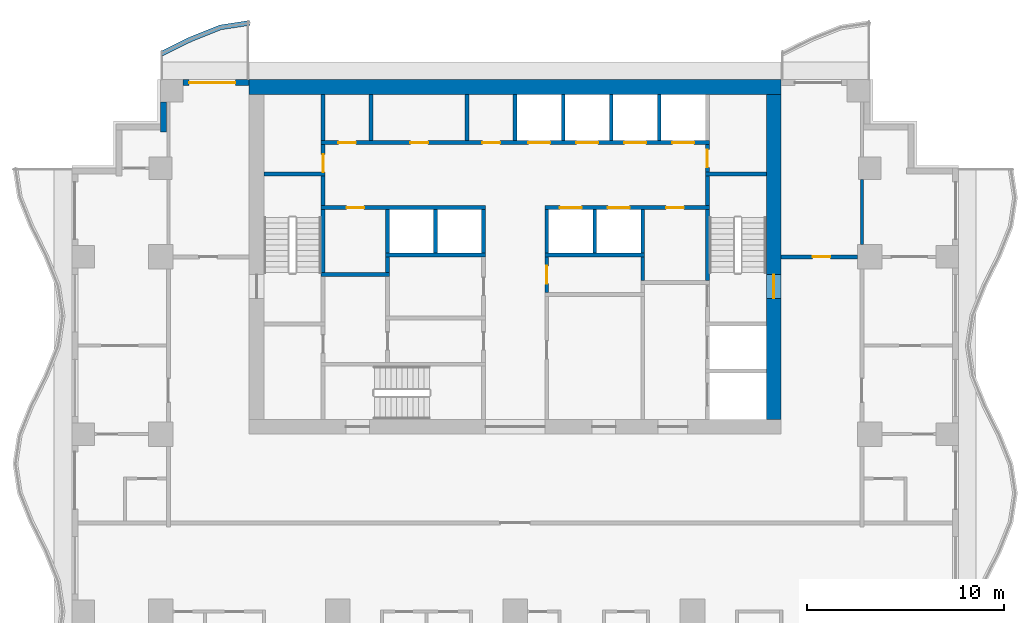
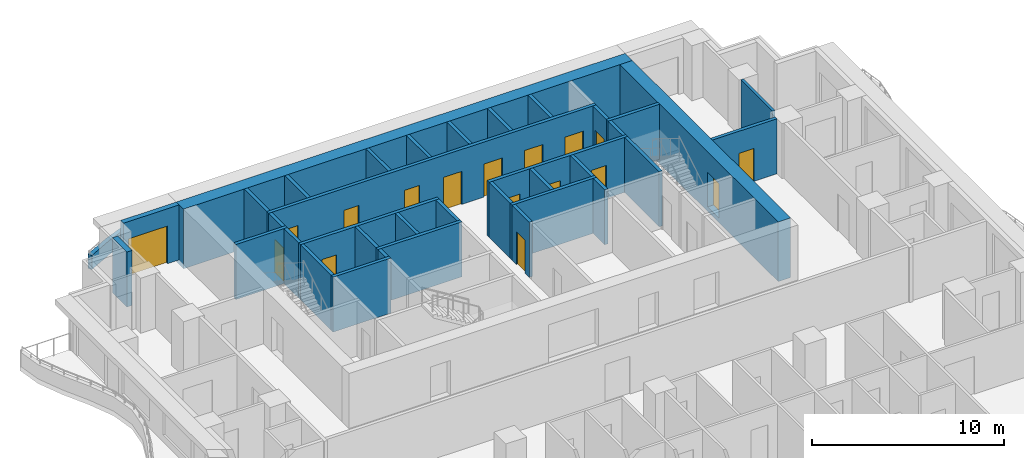
# One storey, part 5 of 10: 37 walls, 17 doors, 17 openings.
"""IFC4 building model written with IfcOpenShell, lengths in metres."""

from ifc_helpers import new_model, si_unit, direction, frame, frame_2d, origin, place, context, subcontext, project, spatial, polyline, rectangle, outline, extrude, material, layer, layer_set, type_object, element, fill, save


model = new_model("IFC4")

# Units and contexts
model_context = context("Model", 3, precision=1e-05, world=origin(), true_north=direction((0.0, 1.0)))
body_context = subcontext(model_context, "Body", "Model", "MODEL_VIEW")
ifc_project = project(units=[si_unit("LENGTHUNIT", "METRE"), si_unit("AREAUNIT", "SQUARE_METRE"), si_unit("VOLUMEUNIT", "CUBIC_METRE"), si_unit("PLANEANGLEUNIT", "RADIAN"), si_unit("MASSUNIT", "GRAM", prefix="KILO")], contexts=[model_context])

# Site, building, storey
site_placement = place(None, origin())
site = spatial("IfcSite", under=ifc_project, at=site_placement, CompositionType="ELEMENT")
building_placement = place(site_placement, origin())
building = spatial("IfcBuilding", under=site, at=building_placement, Name="Orbiselva Terraces", CompositionType="ELEMENT")
storey_placement = place(building_placement, frame((0.0, 0.0, 151.6)))
storey = spatial("IfcBuildingStorey", under=building, at=storey_placement, Name="L38", CompositionType="ELEMENT", Elevation=151.6)

# Wall, opening, door
ifc_material_1 = material(Name="Concrete C80/95", Category="concrete")
ifc_layer_1 = layer(ifc_material_1, 0.75)
ifc_layer_set_1 = layer_set([ifc_layer_1], Name="Concrete C80/95")
wall_type_1 = type_object("IfcWallType", Name="CORE WALL 750", PredefinedType="SHEAR", material=ifc_layer_set_1)
wall_1_placement = place(storey_placement, frame((13.125, 5.25, -0.3), z_axis=(0.0, 0.0, 1.0), x_axis=(0.0, 1.0, 0.0)))
wall_1 = element("IfcWall", 1, at=wall_1_placement, inside=storey, type_object=wall_type_1, Name="Core wall L38 east", PredefinedType="SHEAR", context=body_context, shape_type="SweptSolid", body=[
    extrude(rectangle(XDim=16.5, YDim=0.75, at=frame_2d((8.25, 0.0))), origin(), (0.0, 0.0, 1.0), 3.8),
])
opening_1_placement = place(wall_1_placement, frame((6.15, 0.0, 0.3)))
opening_1 = element("IfcOpeningElement", 2, at=opening_1_placement, cuts=wall_1, Name="Opening DS1200", PredefinedType="OPENING", context=body_context, shape_type="SweptSolid", body=[
    extrude(rectangle(XDim=1.2, YDim=2.2, at=frame_2d((0.6, 1.1))), frame((0.0, 0.385, 0.0), z_axis=(0.0, -1.0, 0.0), x_axis=(1.0, 0.0, 0.0)), (0.0, 0.0, 1.0), 0.77),
])
ifc_material_2 = material(Name="Steel fire door", Category="steel")
door_type_1 = type_object("IfcDoorType", Name="STAIR DOOR 1200", OperationType="NOTDEFINED", PredefinedType="DOOR", material=ifc_material_2)
door_1_placement = place(opening_1_placement, frame((1.2, 0.0, 0.0), z_axis=(0.0, 0.0, 1.0), x_axis=(-1.0, 0.0, 0.0)))
door_1 = element("IfcDoor", 3, at=door_1_placement, inside=storey, type_object=door_type_1, Name="L38 EXIT STAIR S2 door", OperationType="SINGLE_SWING_LEFT", OverallHeight=2.2, OverallWidth=1.2, PredefinedType="DOOR", context=body_context, shape_type="SweptSolid", body=[
    extrude(rectangle(XDim=1.2, YDim=2.2, at=frame_2d((0.6, 1.1))), frame((0.0, 0.025, 0.0), z_axis=(0.0, -1.0, 0.0), x_axis=(1.0, 0.0, 0.0)), (0.0, 0.0, 1.0), 0.05),
])
fill(opening_1, door_1)

# Wall
ifc_layer_2 = layer(ifc_material_1, 0.75)
ifc_layer_set_2 = layer_set([ifc_layer_2], Name="Concrete C80/95")
wall_type_2 = type_object("IfcWallType", Name="CORE WALL 750 EXTERNAL", PredefinedType="SHEAR", material=ifc_layer_set_2)
wall_2_placement = place(storey_placement, frame((13.5, 22.125, -0.3), z_axis=(0.0, 0.0, 1.0), x_axis=(-1.0, 0.0, 0.0)))
element("IfcWall", 4, at=wall_2_placement, inside=storey, type_object=wall_type_2, Name="Core wall L38 north", PredefinedType="SHEAR", context=body_context, shape_type="SweptSolid", body=[
    extrude(rectangle(XDim=27.0, YDim=0.75, at=frame_2d((13.5, 0.0))), origin(), (0.0, 0.0, 1.0), 3.8),
])

# Wall, opening, door
ifc_material_3 = material(Name="Masonry blockwork", Category="masonry")
ifc_layer_3 = layer(ifc_material_3, 0.2)
ifc_layer_set_3 = layer_set([ifc_layer_3], Name="Masonry blockwork")
wall_type_3 = type_object("IfcWallType", Name="CORE-WALL-PARTITION-200", PredefinedType="PARTITIONING", material=ifc_layer_set_3)
wall_3_placement = place(storey_placement, frame((-9.75, 17.8, 0.0), z_axis=(0.0, 0.0, 1.0), x_axis=(0.0, 1.0, 0.0)))
wall_3 = element("IfcWall", 5, at=wall_3_placement, inside=storey, type_object=wall_type_3, Name="L38 core wall 11", PredefinedType="PARTITIONING", context=body_context, shape_type="SweptSolid", body=[
    extrude(rectangle(XDim=1.4, YDim=0.2, at=frame_2d((0.7, 0.0))), origin(), (0.0, 0.0, 1.0), 3.5),
])
opening_2_placement = place(wall_3_placement, origin())
opening_2 = element("IfcOpeningElement", 6, at=opening_2_placement, cuts=wall_3, Name="Opening DR900", PredefinedType="OPENING", context=body_context, shape_type="SweptSolid", body=[
    extrude(rectangle(XDim=0.9, YDim=2.1, at=frame_2d((0.45, 1.05))), frame((0.0, 0.11, 0.0), z_axis=(0.0, -1.0, 0.0), x_axis=(1.0, 0.0, 0.0)), (0.0, 0.0, 1.0), 0.22),
])
door_type_2 = type_object("IfcDoorType", Name="ROOM DOOR 900", OperationType="NOTDEFINED", PredefinedType="DOOR", material=ifc_material_2)
door_2_placement = place(opening_2_placement, origin())
door_2 = element("IfcDoor", 7, at=door_2_placement, inside=storey, type_object=door_type_2, Name="L38 ELECTRICAL RISER ROOM door", OperationType="SINGLE_SWING_LEFT", OverallHeight=2.1, OverallWidth=0.9, PredefinedType="DOOR", context=body_context, shape_type="SweptSolid", body=[
    extrude(rectangle(XDim=0.9, YDim=2.1, at=frame_2d((0.45, 1.05))), frame((0.0, 0.025, 0.0), z_axis=(0.0, -1.0, 0.0), x_axis=(1.0, 0.0, 0.0)), (0.0, 0.0, 1.0), 0.05),
])
fill(opening_2, door_2)

# Walls
for number, where, z_axis, x_axis, name in (
    (8, (-9.75, 19.4, 0.0), (0.0, 0.0, 1.0), (0.0, 1.0, 0.0), "L38 core wall 13"),
    (9, (-7.3125, 19.4, 0.0), (0.0, 0.0, 1.0), (0.0, 1.0, 0.0), "L38 core wall 14"),
):
    element("IfcWall", number, at=place(storey_placement, frame(where, z_axis=z_axis, x_axis=x_axis)), inside=storey, type_object=wall_type_3, Name=name, PredefinedType="PARTITIONING", context=body_context, shape_type="SweptSolid", body=[
        extrude(rectangle(XDim=2.35, YDim=0.2, at=frame_2d((1.175, 0.0))), origin(), (0.0, 0.0, 1.0), 3.5),
    ])
wall_4_placement = place(storey_placement, frame((-6.475, 12.7, 0.0), z_axis=(0.0, 0.0, 1.0), x_axis=(0.0, 1.0, 0.0)))
element("IfcWall", 10, at=wall_4_placement, inside=storey, type_object=wall_type_3, Name="L38 core wall 18", PredefinedType="PARTITIONING", context=body_context, shape_type="SweptSolid", body=[
    extrude(rectangle(XDim=0.8, YDim=0.2, at=frame_2d((0.4, 0.0))), origin(), (0.0, 0.0, 1.0), 3.5),
])
wall_5_placement = place(storey_placement, frame((-2.4375, 19.4, 0.0), z_axis=(0.0, 0.0, 1.0), x_axis=(0.0, 1.0, 0.0)))
element("IfcWall", 11, at=wall_5_placement, inside=storey, type_object=wall_type_3, Name="L38 core wall 22", PredefinedType="PARTITIONING", context=body_context, shape_type="SweptSolid", body=[
    extrude(rectangle(XDim=2.35, YDim=0.2, at=frame_2d((1.175, 0.0))), origin(), (0.0, 0.0, 1.0), 3.5),
])

# Wall, opening, door
wall_6_placement = place(storey_placement, frame((1.6, 13.5, 0.0), z_axis=(0.0, 0.0, 1.0), x_axis=(0.0, -1.0, 0.0)))
wall_6 = element("IfcWall", 12, at=wall_6_placement, inside=storey, type_object=wall_type_3, Name="L38 core wall 30", PredefinedType="PARTITIONING", context=body_context, shape_type="SweptSolid", body=[
    extrude(rectangle(XDim=1.8, YDim=0.2, at=frame_2d((0.9, 0.0))), origin(), (0.0, 0.0, 1.0), 3.5),
])
opening_3_placement = place(wall_6_placement, frame((0.45, 0.0, 0.0)))
opening_3 = element("IfcOpeningElement", 13, at=opening_3_placement, cuts=wall_6, Name="Opening DR900", PredefinedType="OPENING", context=body_context, shape_type="SweptSolid", body=[
    extrude(rectangle(XDim=0.9, YDim=2.1, at=frame_2d((0.45, 1.05))), frame((0.0, 0.11, 0.0), z_axis=(0.0, -1.0, 0.0), x_axis=(1.0, 0.0, 0.0)), (0.0, 0.0, 1.0), 0.22),
])
door_3_placement = place(opening_3_placement, origin())
door_3 = element("IfcDoor", 14, at=door_3_placement, inside=storey, type_object=door_type_2, Name="L38 IT ROOM door", OperationType="SINGLE_SWING_LEFT", OverallHeight=2.1, OverallWidth=0.9, PredefinedType="DOOR", context=body_context, shape_type="SweptSolid", body=[
    extrude(rectangle(XDim=0.9, YDim=2.1, at=frame_2d((0.45, 1.05))), frame((0.0, 0.025, 0.0), z_axis=(0.0, -1.0, 0.0), x_axis=(1.0, 0.0, 0.0)), (0.0, 0.0, 1.0), 0.05),
])
fill(opening_3, door_3)

# Wall
wall_7_placement = place(storey_placement, frame((6.475, 12.3, 0.0), z_axis=(0.0, 0.0, 1.0), x_axis=(0.0, 1.0, 0.0)))
element("IfcWall", 15, at=wall_7_placement, inside=storey, type_object=wall_type_3, Name="L38 core wall 40", PredefinedType="PARTITIONING", context=body_context, shape_type="SweptSolid", body=[
    extrude(rectangle(XDim=1.2, YDim=0.2, at=frame_2d((0.6, 0.0))), origin(), (0.0, 0.0, 1.0), 3.5),
])

# Wall, opening, door
wall_8_placement = place(storey_placement, frame((9.75, 19.2, 0.0), z_axis=(0.0, 0.0, 1.0), x_axis=(0.0, -1.0, 0.0)))
wall_8 = element("IfcWall", 16, at=wall_8_placement, inside=storey, type_object=wall_type_3, Name="L38 core wall 51", PredefinedType="PARTITIONING", context=body_context, shape_type="SweptSolid", body=[
    extrude(rectangle(XDim=1.4, YDim=0.2, at=frame_2d((0.7, 0.0))), origin(), (0.0, 0.0, 1.0), 3.5),
])
opening_4_placement = place(wall_8_placement, frame((0.25, 0.0, 0.0)))
opening_4 = element("IfcOpeningElement", 17, at=opening_4_placement, cuts=wall_8, Name="Opening DR900", PredefinedType="OPENING", context=body_context, shape_type="SweptSolid", body=[
    extrude(rectangle(XDim=0.9, YDim=2.1, at=frame_2d((0.45, 1.05))), frame((0.0, 0.11, 0.0), z_axis=(0.0, -1.0, 0.0), x_axis=(1.0, 0.0, 0.0)), (0.0, 0.0, 1.0), 0.22),
])
door_4_placement = place(opening_4_placement, origin())
door_4 = element("IfcDoor", 18, at=door_4_placement, inside=storey, type_object=door_type_2, Name="L38 COMMS RISER ROOM door", OperationType="SINGLE_SWING_RIGHT", OverallHeight=2.1, OverallWidth=0.9, PredefinedType="DOOR", context=body_context, shape_type="SweptSolid", body=[
    extrude(rectangle(XDim=0.9, YDim=2.1, at=frame_2d((0.45, 1.05))), frame((0.0, 0.025, 0.0), z_axis=(0.0, -1.0, 0.0), x_axis=(1.0, 0.0, 0.0)), (0.0, 0.0, 1.0), 0.05),
])
fill(opening_4, door_4)

# Walls
ifc_material_4 = material(Name="Concrete C40/50", Category="concrete")
ifc_layer_4 = layer(ifc_material_4, 0.2)
ifc_layer_set_4 = layer_set([ifc_layer_4], Name="Concrete C40/50")
wall_type_4 = type_object("IfcWallType", Name="CORE-WALL-SHAFT-200", PredefinedType="PARTITIONING", material=ifc_layer_set_4)
for number, where, z_axis, x_axis, name in (
    (19, (-6.475, 13.7, 0.0), (0.0, 0.0, 1.0), (0.0, 1.0, 0.0), "L38 core wall 20"),
    (20, (-4.0375, 13.7, 0.0), (0.0, 0.0, 1.0), (0.0, 1.0, 0.0), "L38 core wall 21"),
    (21, (-1.6, 13.7, 0.0), (0.0, 0.0, 1.0), (0.0, 1.0, 0.0), "L38 core wall 26"),
):
    element("IfcWall", number, at=place(storey_placement, frame(where, z_axis=z_axis, x_axis=x_axis)), inside=storey, type_object=wall_type_4, Name=name, PredefinedType="PARTITIONING", context=body_context, shape_type="SweptSolid", body=[
        extrude(rectangle(XDim=2.2, YDim=0.2, at=frame_2d((1.1, 0.0))), origin(), (0.0, 0.0, 1.0), 3.5),
    ])
wall_9_placement = place(storey_placement, frame((0.0, 19.4, 0.0), z_axis=(0.0, 0.0, 1.0), x_axis=(0.0, 1.0, 0.0)))
element("IfcWall", 22, at=wall_9_placement, inside=storey, type_object=wall_type_4, Name="L38 core wall 27", PredefinedType="PARTITIONING", context=body_context, shape_type="SweptSolid", body=[
    extrude(rectangle(XDim=2.35, YDim=0.2, at=frame_2d((1.175, 0.0))), origin(), (0.0, 0.0, 1.0), 3.5),
])
wall_10_placement = place(storey_placement, frame((1.6, 13.7, 0.0), z_axis=(0.0, 0.0, 1.0), x_axis=(0.0, 1.0, 0.0)))
element("IfcWall", 23, at=wall_10_placement, inside=storey, type_object=wall_type_4, Name="L38 core wall 32", PredefinedType="PARTITIONING", context=body_context, shape_type="SweptSolid", body=[
    extrude(rectangle(XDim=2.2, YDim=0.2, at=frame_2d((1.1, 0.0))), origin(), (0.0, 0.0, 1.0), 3.5),
])
wall_11_placement = place(storey_placement, frame((2.4375, 19.4, 0.0), z_axis=(0.0, 0.0, 1.0), x_axis=(0.0, 1.0, 0.0)))
element("IfcWall", 24, at=wall_11_placement, inside=storey, type_object=wall_type_4, Name="L38 core wall 34", PredefinedType="PARTITIONING", context=body_context, shape_type="SweptSolid", body=[
    extrude(rectangle(XDim=2.35, YDim=0.2, at=frame_2d((1.175, 0.0))), origin(), (0.0, 0.0, 1.0), 3.5),
])
wall_12_placement = place(storey_placement, frame((4.0375, 13.7, 0.0), z_axis=(0.0, 0.0, 1.0), x_axis=(0.0, 1.0, 0.0)))
element("IfcWall", 25, at=wall_12_placement, inside=storey, type_object=wall_type_4, Name="L38 core wall 35", PredefinedType="PARTITIONING", context=body_context, shape_type="SweptSolid", body=[
    extrude(rectangle(XDim=2.2, YDim=0.2, at=frame_2d((1.1, 0.0))), origin(), (0.0, 0.0, 1.0), 3.5),
])
wall_13_placement = place(storey_placement, frame((4.875, 19.4, 0.0), z_axis=(0.0, 0.0, 1.0), x_axis=(0.0, 1.0, 0.0)))
element("IfcWall", 26, at=wall_13_placement, inside=storey, type_object=wall_type_4, Name="L38 core wall 36", PredefinedType="PARTITIONING", context=body_context, shape_type="SweptSolid", body=[
    extrude(rectangle(XDim=2.35, YDim=0.2, at=frame_2d((1.175, 0.0))), origin(), (0.0, 0.0, 1.0), 3.5),
])
wall_14_placement = place(storey_placement, frame((6.475, 13.7, 0.0), z_axis=(0.0, 0.0, 1.0), x_axis=(0.0, 1.0, 0.0)))
element("IfcWall", 27, at=wall_14_placement, inside=storey, type_object=wall_type_4, Name="L38 core wall 41", PredefinedType="PARTITIONING", context=body_context, shape_type="SweptSolid", body=[
    extrude(rectangle(XDim=2.2, YDim=0.2, at=frame_2d((1.1, 0.0))), origin(), (0.0, 0.0, 1.0), 3.5),
])
wall_15_placement = place(storey_placement, frame((7.3125, 19.4, 0.0), z_axis=(0.0, 0.0, 1.0), x_axis=(0.0, 1.0, 0.0)))
element("IfcWall", 28, at=wall_15_placement, inside=storey, type_object=wall_type_4, Name="L38 core wall 42", PredefinedType="PARTITIONING", context=body_context, shape_type="SweptSolid", body=[
    extrude(rectangle(XDim=2.35, YDim=0.2, at=frame_2d((1.175, 0.0))), origin(), (0.0, 0.0, 1.0), 3.5),
])
ifc_material_5 = material(Name="Concrete C60/75", Category="concrete")
ifc_layer_5 = layer(ifc_material_5, 0.2)
ifc_layer_set_5 = layer_set([ifc_layer_5], Name="Concrete C60/75")
wall_type_5 = type_object("IfcWallType", Name="CORE-WALL-SHEAR-200", PredefinedType="SHEAR", material=ifc_layer_set_5)
wall_16_placement = place(storey_placement, frame((-12.75, 17.7, 0.0), z_axis=(0.0, 0.0, 1.0), x_axis=(1.0, 0.0, 0.0)))
element("IfcWall", 29, at=wall_16_placement, inside=storey, type_object=wall_type_5, Name="L38 core wall 02", PredefinedType="SHEAR", context=body_context, shape_type="SweptSolid", body=[
    extrude(rectangle(XDim=3.1, YDim=0.2, at=frame_2d((1.55, 0.0))), origin(), (0.0, 0.0, 1.0), 3.5),
])
wall_17_placement = place(storey_placement, frame((-9.85, 12.6, 0.0), z_axis=(0.0, 0.0, 1.0), x_axis=(1.0, 0.0, 0.0)))
element("IfcWall", 30, at=wall_17_placement, inside=storey, type_object=wall_type_5, Name="L38 core wall 07", PredefinedType="SHEAR", context=body_context, shape_type="SweptSolid", body=[
    extrude(rectangle(XDim=3.475, YDim=0.2, at=frame_2d((1.7375, 0.0))), origin(), (0.0, 0.0, 1.0), 3.5),
])
wall_18_placement = place(storey_placement, frame((-9.75, 12.7, 0.0), z_axis=(0.0, 0.0, 1.0), x_axis=(0.0, 1.0, 0.0)))
element("IfcWall", 31, at=wall_18_placement, inside=storey, type_object=wall_type_5, Name="L38 core wall 08", PredefinedType="SHEAR", context=body_context, shape_type="SweptSolid", body=[
    extrude(rectangle(XDim=3.2, YDim=0.2, at=frame_2d((1.6, 0.0))), origin(), (0.0, 0.0, 1.0), 3.5),
])

# Wall, opening, door
wall_19_placement = place(storey_placement, frame((-1.5, 16.0, 0.0), z_axis=(0.0, 0.0, 1.0), x_axis=(-1.0, 0.0, 0.0)))
wall_19 = element("IfcWall", 32, at=wall_19_placement, inside=storey, type_object=wall_type_5, Name="L38 core wall 09", PredefinedType="SHEAR", context=body_context, shape_type="SweptSolid", body=[
    extrude(rectangle(XDim=8.35, YDim=0.2, at=frame_2d((4.175, 0.0))), origin(), (0.0, 0.0, 1.0), 3.5),
])
opening_5_placement = place(wall_19_placement, frame((6.1625, 0.0, 0.0)))
opening_5 = element("IfcOpeningElement", 33, at=opening_5_placement, cuts=wall_19, Name="Opening DR900", PredefinedType="OPENING", context=body_context, shape_type="SweptSolid", body=[
    extrude(rectangle(XDim=0.9, YDim=2.1, at=frame_2d((0.45, 1.05))), frame((0.0, 0.11, 0.0), z_axis=(0.0, -1.0, 0.0), x_axis=(1.0, 0.0, 0.0)), (0.0, 0.0, 1.0), 0.22),
])
door_5_placement = place(opening_5_placement, origin())
door_5 = element("IfcDoor", 34, at=door_5_placement, inside=storey, type_object=door_type_2, Name="L38 IT ROOM door", OperationType="SINGLE_SWING_RIGHT", OverallHeight=2.1, OverallWidth=0.9, PredefinedType="DOOR", context=body_context, shape_type="SweptSolid", body=[
    extrude(rectangle(XDim=0.9, YDim=2.1, at=frame_2d((0.45, 1.05))), frame((0.0, 0.025, 0.0), z_axis=(0.0, -1.0, 0.0), x_axis=(1.0, 0.0, 0.0)), (0.0, 0.0, 1.0), 0.05),
])
fill(opening_5, door_5)

# Wall
wall_20_placement = place(storey_placement, frame((-9.75, 16.1, 0.0), z_axis=(0.0, 0.0, 1.0), x_axis=(0.0, 1.0, 0.0)))
element("IfcWall", 35, at=wall_20_placement, inside=storey, type_object=wall_type_5, Name="L38 core wall 10", PredefinedType="SHEAR", context=body_context, shape_type="SweptSolid", body=[
    extrude(rectangle(XDim=1.5, YDim=0.2, at=frame_2d((0.75, 0.0))), origin(), (0.0, 0.0, 1.0), 3.5),
])

# Wall, openings, doors
wall_21_placement = place(storey_placement, frame((-9.85, 19.3, 0.0), z_axis=(0.0, 0.0, 1.0), x_axis=(1.0, 0.0, 0.0)))
wall_21 = element("IfcWall", 36, at=wall_21_placement, inside=storey, type_object=wall_type_5, Name="L38 core wall 12", PredefinedType="SHEAR", context=body_context, shape_type="SweptSolid", body=[
    extrude(rectangle(XDim=19.7, YDim=0.2, at=frame_2d((9.85, 0.0))), origin(), (0.0, 0.0, 1.0), 3.5),
])
opening_6_placement = place(wall_21_placement, frame((10.51875, 0.0, 0.0)))
opening_6 = element("IfcOpeningElement", 37, at=opening_6_placement, cuts=wall_21, Name="Opening LD-HR1", PredefinedType="OPENING", context=body_context, shape_type="SweptSolid", body=[
    extrude(rectangle(XDim=1.1, YDim=2.1, at=frame_2d((0.55, 1.05))), frame((0.0, 0.11, 0.0), z_axis=(0.0, -1.0, 0.0), x_axis=(1.0, 0.0, 0.0)), (0.0, 0.0, 1.0), 0.22),
])
opening_7_placement = place(wall_21_placement, frame((12.95625, 0.0, 0.0)))
opening_7 = element("IfcOpeningElement", 38, at=opening_7_placement, cuts=wall_21, Name="Opening LD-HR2", PredefinedType="OPENING", context=body_context, shape_type="SweptSolid", body=[
    extrude(rectangle(XDim=1.1, YDim=2.1, at=frame_2d((0.55, 1.05))), frame((0.0, 0.11, 0.0), z_axis=(0.0, -1.0, 0.0), x_axis=(1.0, 0.0, 0.0)), (0.0, 0.0, 1.0), 0.22),
])
opening_8_placement = place(wall_21_placement, frame((15.39375, 0.0, 0.0)))
opening_8 = element("IfcOpeningElement", 39, at=opening_8_placement, cuts=wall_21, Name="Opening LD-HR3", PredefinedType="OPENING", context=body_context, shape_type="SweptSolid", body=[
    extrude(rectangle(XDim=1.1, YDim=2.1, at=frame_2d((0.55, 1.05))), frame((0.0, 0.11, 0.0), z_axis=(0.0, -1.0, 0.0), x_axis=(1.0, 0.0, 0.0)), (0.0, 0.0, 1.0), 0.22),
])
opening_9_placement = place(wall_21_placement, frame((17.83125, 0.0, 0.0)))
opening_9 = element("IfcOpeningElement", 40, at=opening_9_placement, cuts=wall_21, Name="Opening LD-HR4", PredefinedType="OPENING", context=body_context, shape_type="SweptSolid", body=[
    extrude(rectangle(XDim=1.1, YDim=2.1, at=frame_2d((0.55, 1.05))), frame((0.0, 0.11, 0.0), z_axis=(0.0, -1.0, 0.0), x_axis=(1.0, 0.0, 0.0)), (0.0, 0.0, 1.0), 0.22),
])
opening_10_placement = place(wall_21_placement, frame((0.8688, 0.0, 0.0)))
opening_10 = element("IfcOpeningElement", 41, at=opening_10_placement, cuts=wall_21, Name="Opening DR900", PredefinedType="OPENING", context=body_context, shape_type="SweptSolid", body=[
    extrude(rectangle(XDim=0.9, YDim=2.1, at=frame_2d((0.45, 1.05))), frame((0.0, 0.11, 0.0), z_axis=(0.0, -1.0, 0.0), x_axis=(1.0, 0.0, 0.0)), (0.0, 0.0, 1.0), 0.22),
])
opening_11_placement = place(wall_21_placement, frame((4.525, 0.0, 0.0)))
opening_11 = element("IfcOpeningElement", 42, at=opening_11_placement, cuts=wall_21, Name="Opening DR900", PredefinedType="OPENING", context=body_context, shape_type="SweptSolid", body=[
    extrude(rectangle(XDim=0.9, YDim=2.1, at=frame_2d((0.45, 1.05))), frame((0.0, 0.11, 0.0), z_axis=(0.0, -1.0, 0.0), x_axis=(1.0, 0.0, 0.0)), (0.0, 0.0, 1.0), 0.22),
])
opening_12_placement = place(wall_21_placement, frame((8.1812, 0.0, 0.0)))
opening_12 = element("IfcOpeningElement", 43, at=opening_12_placement, cuts=wall_21, Name="Opening DR900", PredefinedType="OPENING", context=body_context, shape_type="SweptSolid", body=[
    extrude(rectangle(XDim=0.9, YDim=2.1, at=frame_2d((0.45, 1.05))), frame((0.0, 0.11, 0.0), z_axis=(0.0, -1.0, 0.0), x_axis=(1.0, 0.0, 0.0)), (0.0, 0.0, 1.0), 0.22),
])
ifc_material_6 = material(Name="Stainless steel landing door", Category="steel")
door_type_3 = type_object("IfcDoorType", Name="LANDING DOOR 1100", OperationType="SLIDING_TO_LEFT", PredefinedType="DOOR", material=ifc_material_6)
door_6_placement = place(opening_6_placement, origin())
door_6 = element("IfcDoor", 44, at=door_6_placement, inside=storey, type_object=door_type_3, Name="L38 landing door HR1", OperationType="SLIDING_TO_RIGHT", OverallHeight=2.1, OverallWidth=1.1, PredefinedType="DOOR", context=body_context, shape_type="SweptSolid", body=[
    extrude(rectangle(XDim=1.1, YDim=2.1, at=frame_2d((0.55, 1.05))), frame((0.0, 0.025, 0.0), z_axis=(0.0, -1.0, 0.0), x_axis=(1.0, 0.0, 0.0)), (0.0, 0.0, 1.0), 0.05),
])
fill(opening_6, door_6)
door_7_placement = place(opening_7_placement, origin())
door_7 = element("IfcDoor", 45, at=door_7_placement, inside=storey, type_object=door_type_3, Name="L38 landing door HR2", OperationType="SLIDING_TO_RIGHT", OverallHeight=2.1, OverallWidth=1.1, PredefinedType="DOOR", context=body_context, shape_type="SweptSolid", body=[
    extrude(rectangle(XDim=1.1, YDim=2.1, at=frame_2d((0.55, 1.05))), frame((0.0, 0.025, 0.0), z_axis=(0.0, -1.0, 0.0), x_axis=(1.0, 0.0, 0.0)), (0.0, 0.0, 1.0), 0.05),
])
fill(opening_7, door_7)
door_8_placement = place(opening_8_placement, origin())
door_8 = element("IfcDoor", 46, at=door_8_placement, inside=storey, type_object=door_type_3, Name="L38 landing door HR3", OperationType="SLIDING_TO_RIGHT", OverallHeight=2.1, OverallWidth=1.1, PredefinedType="DOOR", context=body_context, shape_type="SweptSolid", body=[
    extrude(rectangle(XDim=1.1, YDim=2.1, at=frame_2d((0.55, 1.05))), frame((0.0, 0.025, 0.0), z_axis=(0.0, -1.0, 0.0), x_axis=(1.0, 0.0, 0.0)), (0.0, 0.0, 1.0), 0.05),
])
fill(opening_8, door_8)
door_9_placement = place(opening_9_placement, origin())
door_9 = element("IfcDoor", 47, at=door_9_placement, inside=storey, type_object=door_type_3, Name="L38 landing door HR4", OperationType="SLIDING_TO_RIGHT", OverallHeight=2.1, OverallWidth=1.1, PredefinedType="DOOR", context=body_context, shape_type="SweptSolid", body=[
    extrude(rectangle(XDim=1.1, YDim=2.1, at=frame_2d((0.55, 1.05))), frame((0.0, 0.025, 0.0), z_axis=(0.0, -1.0, 0.0), x_axis=(1.0, 0.0, 0.0)), (0.0, 0.0, 1.0), 0.05),
])
fill(opening_9, door_9)
door_10_placement = place(opening_10_placement, origin())
door_10 = element("IfcDoor", 48, at=door_10_placement, inside=storey, type_object=door_type_2, Name="L38 STORE door", OperationType="SINGLE_SWING_LEFT", OverallHeight=2.1, OverallWidth=0.9, PredefinedType="DOOR", context=body_context, shape_type="SweptSolid", body=[
    extrude(rectangle(XDim=0.9, YDim=2.1, at=frame_2d((0.45, 1.05))), frame((0.0, 0.025, 0.0), z_axis=(0.0, -1.0, 0.0), x_axis=(1.0, 0.0, 0.0)), (0.0, 0.0, 1.0), 0.05),
])
fill(opening_10, door_10)
door_11_placement = place(opening_11_placement, origin())
door_11 = element("IfcDoor", 49, at=door_11_placement, inside=storey, type_object=door_type_2, Name="L38 IT ROOM door", OperationType="SINGLE_SWING_LEFT", OverallHeight=2.1, OverallWidth=0.9, PredefinedType="DOOR", context=body_context, shape_type="SweptSolid", body=[
    extrude(rectangle(XDim=0.9, YDim=2.1, at=frame_2d((0.45, 1.05))), frame((0.0, 0.025, 0.0), z_axis=(0.0, -1.0, 0.0), x_axis=(1.0, 0.0, 0.0)), (0.0, 0.0, 1.0), 0.05),
])
fill(opening_11, door_11)
door_12_placement = place(opening_12_placement, origin())
door_12 = element("IfcDoor", 50, at=door_12_placement, inside=storey, type_object=door_type_2, Name="L38 CLEANERS STORE door", OperationType="SINGLE_SWING_LEFT", OverallHeight=2.1, OverallWidth=0.9, PredefinedType="DOOR", context=body_context, shape_type="SweptSolid", body=[
    extrude(rectangle(XDim=0.9, YDim=2.1, at=frame_2d((0.45, 1.05))), frame((0.0, 0.025, 0.0), z_axis=(0.0, -1.0, 0.0), x_axis=(1.0, 0.0, 0.0)), (0.0, 0.0, 1.0), 0.05),
])
fill(opening_12, door_12)

# Walls
for number, where, z_axis, x_axis, name in (
    (51, (-6.575, 13.6, 0.0), (0.0, 0.0, 1.0), (1.0, 0.0, 0.0), "L38 core wall 19"),
    (52, (1.5, 13.6, 0.0), (0.0, 0.0, 1.0), (1.0, 0.0, 0.0), "L38 core wall 31"),
):
    element("IfcWall", number, at=place(storey_placement, frame(where, z_axis=z_axis, x_axis=x_axis)), inside=storey, type_object=wall_type_5, Name=name, PredefinedType="SHEAR", context=body_context, shape_type="SweptSolid", body=[
        extrude(rectangle(XDim=5.075, YDim=0.2, at=frame_2d((2.5375, 0.0))), origin(), (0.0, 0.0, 1.0), 3.5),
    ])

# Wall, openings, doors
wall_22_placement = place(storey_placement, frame((9.85, 16.0, 0.0), z_axis=(0.0, 0.0, 1.0), x_axis=(-1.0, 0.0, 0.0)))
wall_22 = element("IfcWall", 53, at=wall_22_placement, inside=storey, type_object=wall_type_5, Name="L38 core wall 33", PredefinedType="SHEAR", context=body_context, shape_type="SweptSolid", body=[
    extrude(rectangle(XDim=8.35, YDim=0.2, at=frame_2d((4.175, 0.0))), origin(), (0.0, 0.0, 1.0), 3.5),
])
opening_13_placement = place(wall_22_placement, frame((6.48125, 0.0, 0.0)))
opening_13 = element("IfcOpeningElement", 54, at=opening_13_placement, cuts=wall_22, Name="Opening LD-HR5", PredefinedType="OPENING", context=body_context, shape_type="SweptSolid", body=[
    extrude(rectangle(XDim=1.1, YDim=2.1, at=frame_2d((0.55, 1.05))), frame((0.0, 0.11, 0.0), z_axis=(0.0, -1.0, 0.0), x_axis=(1.0, 0.0, 0.0)), (0.0, 0.0, 1.0), 0.22),
])
opening_14_placement = place(wall_22_placement, frame((4.04375, 0.0, 0.0)))
opening_14 = element("IfcOpeningElement", 55, at=opening_14_placement, cuts=wall_22, Name="Opening LD-HR6", PredefinedType="OPENING", context=body_context, shape_type="SweptSolid", body=[
    extrude(rectangle(XDim=1.1, YDim=2.1, at=frame_2d((0.55, 1.05))), frame((0.0, 0.11, 0.0), z_axis=(0.0, -1.0, 0.0), x_axis=(1.0, 0.0, 0.0)), (0.0, 0.0, 1.0), 0.22),
])
opening_15_placement = place(wall_22_placement, frame((1.2875, 0.0, 0.0)))
opening_15 = element("IfcOpeningElement", 56, at=opening_15_placement, cuts=wall_22, Name="Opening DR900", PredefinedType="OPENING", context=body_context, shape_type="SweptSolid", body=[
    extrude(rectangle(XDim=0.9, YDim=2.1, at=frame_2d((0.45, 1.05))), frame((0.0, 0.11, 0.0), z_axis=(0.0, -1.0, 0.0), x_axis=(1.0, 0.0, 0.0)), (0.0, 0.0, 1.0), 0.22),
])
door_13_placement = place(opening_13_placement, origin())
door_13 = element("IfcDoor", 57, at=door_13_placement, inside=storey, type_object=door_type_3, Name="L38 landing door HR5", OperationType="SLIDING_TO_RIGHT", OverallHeight=2.1, OverallWidth=1.1, PredefinedType="DOOR", context=body_context, shape_type="SweptSolid", body=[
    extrude(rectangle(XDim=1.1, YDim=2.1, at=frame_2d((0.55, 1.05))), frame((0.0, 0.025, 0.0), z_axis=(0.0, -1.0, 0.0), x_axis=(1.0, 0.0, 0.0)), (0.0, 0.0, 1.0), 0.05),
])
fill(opening_13, door_13)
door_14_placement = place(opening_14_placement, origin())
door_14 = element("IfcDoor", 58, at=door_14_placement, inside=storey, type_object=door_type_3, Name="L38 landing door HR6", OperationType="SLIDING_TO_RIGHT", OverallHeight=2.1, OverallWidth=1.1, PredefinedType="DOOR", context=body_context, shape_type="SweptSolid", body=[
    extrude(rectangle(XDim=1.1, YDim=2.1, at=frame_2d((0.55, 1.05))), frame((0.0, 0.025, 0.0), z_axis=(0.0, -1.0, 0.0), x_axis=(1.0, 0.0, 0.0)), (0.0, 0.0, 1.0), 0.05),
])
fill(opening_14, door_14)
door_15_placement = place(opening_15_placement, origin())
door_15 = element("IfcDoor", 59, at=door_15_placement, inside=storey, type_object=door_type_2, Name="L38 PIPE RISER ROOM door", OperationType="SINGLE_SWING_LEFT", OverallHeight=2.1, OverallWidth=0.9, PredefinedType="DOOR", context=body_context, shape_type="SweptSolid", body=[
    extrude(rectangle(XDim=0.9, YDim=2.1, at=frame_2d((0.45, 1.05))), frame((0.0, 0.025, 0.0), z_axis=(0.0, -1.0, 0.0), x_axis=(1.0, 0.0, 0.0)), (0.0, 0.0, 1.0), 0.05),
])
fill(opening_15, door_15)

# Walls
wall_23_placement = place(storey_placement, frame((9.75, 12.3, 0.0), z_axis=(0.0, 0.0, 1.0), x_axis=(0.0, 1.0, 0.0)))
element("IfcWall", 60, at=wall_23_placement, inside=storey, type_object=wall_type_5, Name="L38 core wall 48", PredefinedType="SHEAR", context=body_context, shape_type="SweptSolid", body=[
    extrude(rectangle(XDim=3.6, YDim=0.2, at=frame_2d((1.8, 0.0))), origin(), (0.0, 0.0, 1.0), 3.5),
])
wall_24_placement = place(storey_placement, frame((9.75, 16.1, 0.0), z_axis=(0.0, 0.0, 1.0), x_axis=(0.0, 1.0, 0.0)))
element("IfcWall", 61, at=wall_24_placement, inside=storey, type_object=wall_type_5, Name="L38 core wall 49", PredefinedType="SHEAR", context=body_context, shape_type="SweptSolid", body=[
    extrude(rectangle(XDim=1.5, YDim=0.2, at=frame_2d((0.75, 0.0))), origin(), (0.0, 0.0, 1.0), 3.5),
])
wall_25_placement = place(storey_placement, frame((9.65, 17.7, 0.0), z_axis=(0.0, 0.0, 1.0), x_axis=(1.0, 0.0, 0.0)))
element("IfcWall", 62, at=wall_25_placement, inside=storey, type_object=wall_type_5, Name="L38 core wall 50", PredefinedType="SHEAR", context=body_context, shape_type="SweptSolid", body=[
    extrude(rectangle(XDim=3.1, YDim=0.2, at=frame_2d((1.55, 0.0))), origin(), (0.0, 0.0, 1.0), 3.5),
])
ifc_layer_6 = layer(ifc_material_4, 0.25)
ifc_layer_set_6 = layer_set([ifc_layer_6], Name="Concrete C40/50")
wall_type_6 = type_object("IfcWallType", Name="ENV-PLANTER-250x900", PredefinedType="USERDEFINED", material=ifc_layer_set_6)
wall_26_placement = place(storey_placement, origin())
element("IfcWall", 63, at=wall_26_placement, inside=storey, type_object=wall_type_6, Name="Balcony planter L38 NW", ObjectType="PLANTER", PredefinedType="USERDEFINED", context=body_context, shape_type="SweptSolid", body=[
    extrude(outline(polyline([(-13.5, 25.5), (-15.0, 25.27082), (-16.5, 24.67082), (-18.0, 23.92918), (-17.889197, 23.705076), (-16.398017, 24.442355), (-14.933834, 25.028028), (-13.462242, 25.252868), (-13.5, 25.5)])), origin(), (0.0, 0.0, 1.0), 0.9),
])

# Wall, opening, door
ifc_material_7 = material(Name="Terracotta cladding on masonry backing", Category="masonry")
ifc_layer_7 = layer(ifc_material_7, 0.3)
ifc_layer_set_7 = layer_set([ifc_layer_7], Name="Terracotta cladding on masonry backing")
wall_type_7 = type_object("IfcWallType", Name="ENV-WALL-TERRACOTTA-300", PredefinedType="SOLIDWALL", material=ifc_layer_set_7)
wall_27_placement = place(storey_placement, frame((-16.85, 22.35, 0.0), z_axis=(0.0, 0.0, 1.0), x_axis=(1.0, 0.0, 0.0)))
wall_27 = element("IfcWall", 64, at=wall_27_placement, inside=storey, type_object=wall_type_7, Name="Facade wall L38 NW", PredefinedType="SOLIDWALL", context=body_context, shape_type="SweptSolid", body=[
    extrude(rectangle(XDim=3.35, YDim=0.3, at=frame_2d((1.675, 0.0))), origin(), (0.0, 0.0, 1.0), 3.5),
])
opening_16_placement = place(wall_27_placement, frame((0.3, 0.0, 0.0)))
opening_16 = element("IfcOpeningElement", 65, at=opening_16_placement, cuts=wall_27, Name="Opening Z3-C-E09", PredefinedType="OPENING", context=body_context, shape_type="SweptSolid", body=[
    extrude(rectangle(XDim=2.35, YDim=2.4, at=frame_2d((1.175, 1.2))), frame((0.0, 0.16, 0.0), z_axis=(0.0, -1.0, 0.0), x_axis=(1.0, 0.0, 0.0)), (0.0, 0.0, 1.0), 0.32),
])
ifc_material_8 = material(Name="Clear low-e glazing in aluminium frame", Category="aluminium")
door_type_4 = type_object("IfcDoorType", Name="BALCONY DOOR 2350 X 2400", OperationType="DOUBLE_DOOR_SLIDING", PredefinedType="DOOR", material=ifc_material_8)
door_16_placement = place(opening_16_placement, origin())
door_16 = element("IfcDoor", 66, at=door_16_placement, inside=storey, type_object=door_type_4, Name="Z3-C-E09", OperationType="SINGLE_SWING_LEFT", OverallHeight=2.4, OverallWidth=2.35, PredefinedType="DOOR", context=body_context, shape_type="SweptSolid", body=[
    extrude(rectangle(XDim=2.35, YDim=2.4, at=frame_2d((1.175, 1.2))), frame((0.0, 0.025, 0.0), z_axis=(0.0, -1.0, 0.0), x_axis=(1.0, 0.0, 0.0)), (0.0, 0.0, 1.0), 0.05),
])
fill(opening_16, door_16)

# Wall
wall_28_placement = place(storey_placement, frame((-17.85, 19.85, 0.0), z_axis=(0.0, 0.0, 1.0), x_axis=(0.0, 1.0, 0.0)))
element("IfcWall", 67, at=wall_28_placement, inside=storey, type_object=wall_type_7, Name="Facade wall L38 STEP", PredefinedType="SOLIDWALL", context=body_context, shape_type="SweptSolid", body=[
    extrude(rectangle(XDim=1.5, YDim=0.3, at=frame_2d((0.75, 0.0))), origin(), (0.0, 0.0, 1.0), 3.5),
])

# Wall, opening, door
ifc_material_9 = material(Name="Plasterboard on steel stud partition", Category="steel")
ifc_layer_8 = layer(ifc_material_9, 0.2)
ifc_layer_set_8 = layer_set([ifc_layer_8], Name="Plasterboard on steel stud partition")
wall_type_8 = type_object("IfcWallType", Name="UNIT-ENTRANCE-WALL-200", PredefinedType="PARTITIONING", material=ifc_layer_set_8)
wall_29_placement = place(storey_placement, frame((13.5, 13.5, 0.0), z_axis=(0.0, 0.0, 1.0), x_axis=(1.0, 0.0, 0.0)))
wall_29 = element("IfcWall", 68, at=wall_29_placement, inside=storey, type_object=wall_type_8, Name="PARTITION L38-032", PredefinedType="PARTITIONING", context=body_context, shape_type="SweptSolid", body=[
    extrude(rectangle(XDim=3.875, YDim=0.2, at=frame_2d((1.9375, 0.0))), origin(), (0.0, 0.0, 1.0), 3.5),
])
opening_17_placement = place(wall_29_placement, frame((1.6, 0.0, 0.0)))
opening_17 = element("IfcOpeningElement", 69, at=opening_17_placement, cuts=wall_29, Name="Opening Z3-C-02", PredefinedType="OPENING", context=body_context, shape_type="SweptSolid", body=[
    extrude(rectangle(XDim=0.9, YDim=2.1, at=frame_2d((0.45, 1.05))), frame((0.0, 0.11, 0.0), z_axis=(0.0, -1.0, 0.0), x_axis=(1.0, 0.0, 0.0)), (0.0, 0.0, 1.0), 0.22),
])
ifc_material_10 = material(Name="Painted timber door leaf", Category="wood")
door_type_5 = type_object("IfcDoorType", Name="SERVICE DOOR 900", OperationType="NOTDEFINED", PredefinedType="DOOR", material=ifc_material_10)
door_17_placement = place(opening_17_placement, origin())
door_17 = element("IfcDoor", 70, at=door_17_placement, inside=storey, type_object=door_type_5, Name="Z3-C-02", OperationType="SINGLE_SWING_RIGHT", OverallHeight=2.1, OverallWidth=0.9, PredefinedType="DOOR", context=body_context, shape_type="SweptSolid", body=[
    extrude(rectangle(XDim=0.9, YDim=2.1, at=frame_2d((0.45, 1.05))), frame((0.0, 0.025, 0.0), z_axis=(0.0, -1.0, 0.0), x_axis=(1.0, 0.0, 0.0)), (0.0, 0.0, 1.0), 0.05),
])
fill(opening_17, door_17)

# Wall
ifc_layer_9 = layer(ifc_material_9, 0.15)
ifc_layer_set_9 = layer_set([ifc_layer_9], Name="Plasterboard on steel stud partition")
wall_type_9 = type_object("IfcWallType", Name="UNIT-PARTITION-150", PredefinedType="PARTITIONING", material=ifc_layer_set_9)
wall_30_placement = place(storey_placement, frame((17.6, 14.125, 0.0), z_axis=(0.0, 0.0, 1.0), x_axis=(0.0, 1.0, 0.0)))
element("IfcWall", 71, at=wall_30_placement, inside=storey, type_object=wall_type_9, Name="PARTITION L38-061", PredefinedType="PARTITIONING", context=body_context, shape_type="SweptSolid", body=[
    extrude(rectangle(XDim=3.3, YDim=0.15, at=frame_2d((1.65, 0.0))), origin(), (0.0, 0.0, 1.0), 3.5),
])

save(model, "model.ifc")
